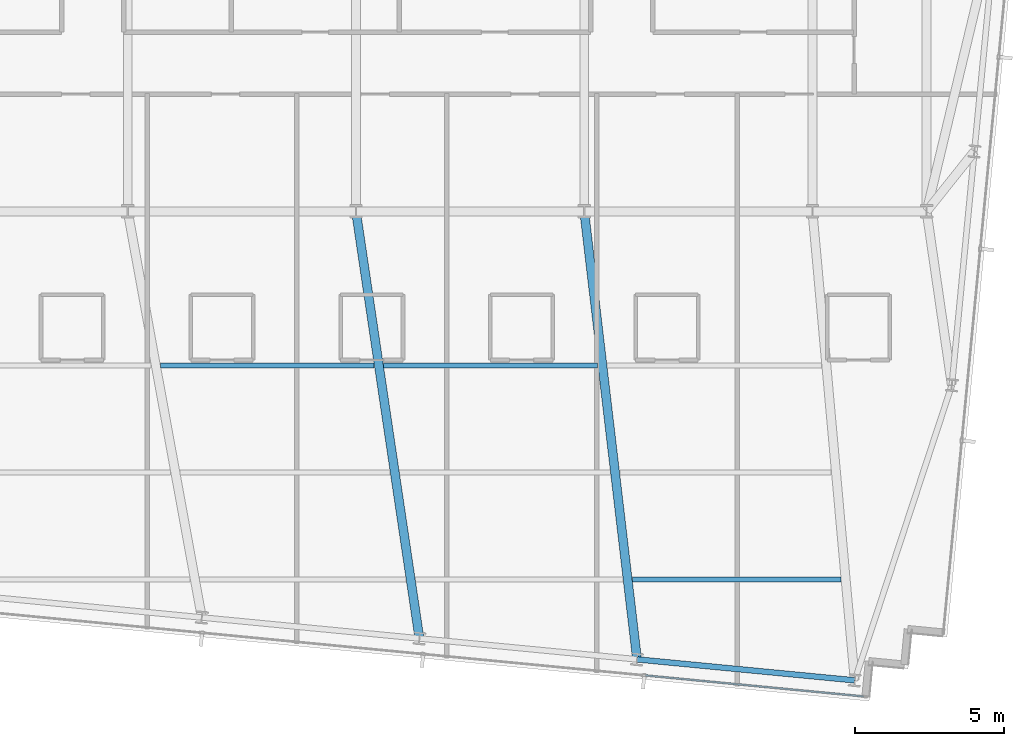
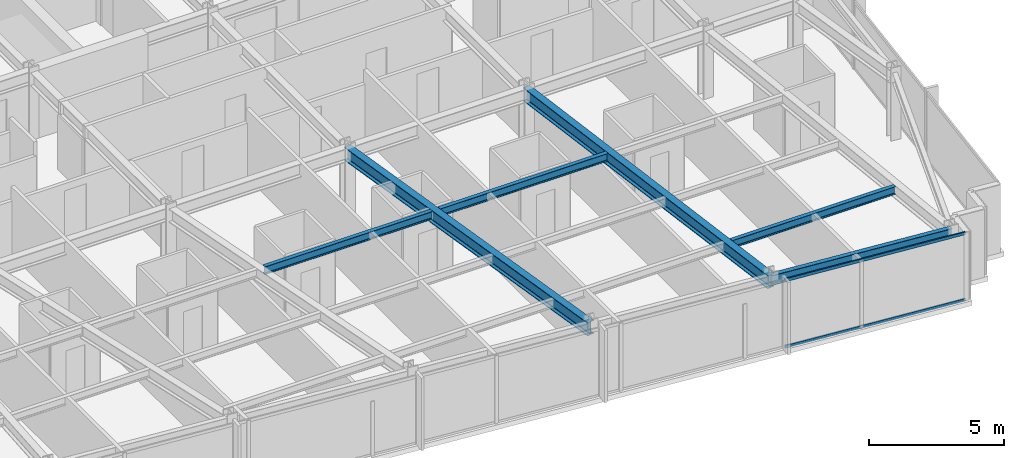
# One storey, part 13 of 38: 6 beams, 2 members, 1 element without a shape of its own.
"""IFC4 building model written with IfcOpenShell, lengths in metres."""

from ifc_helpers import new_model, si_unit, direction, frame, origin, origin_2d, place, context, subcontext, project, spatial, hollow_rectangle, i_section, extrude, material, material_profile, profile_set, type_object, element, aggregate, save


model = new_model("IFC4")

# Units and contexts
model_context = context("Model", 3, precision=1e-05, world=origin(), true_north=direction((0.0, 1.0)))
body_context = subcontext(model_context, "Body", "Model", "MODEL_VIEW")
ifc_project = project(units=[si_unit("LENGTHUNIT", "METRE"), si_unit("AREAUNIT", "SQUARE_METRE"), si_unit("VOLUMEUNIT", "CUBIC_METRE"), si_unit("PLANEANGLEUNIT", "RADIAN"), si_unit("MASSUNIT", "GRAM", prefix="KILO")], contexts=[model_context])

# Site, building, storey
site_placement = place(None, origin())
site = spatial("IfcSite", under=ifc_project, at=site_placement, CompositionType="ELEMENT")
building_placement = place(site_placement, origin())
building = spatial("IfcBuilding", under=site, at=building_placement, Name="Yelkora Congress Tower", CompositionType="ELEMENT")
storey_placement = place(building_placement, frame((0.0, 0.0, 178.699951171875)))
storey = spatial("IfcBuildingStorey", under=building, at=storey_placement, Name="L49", CompositionType="ELEMENT", Elevation=178.699951171875)

# Beams
ifc_material_1 = material(Name="Steel S355J2", Category="steel")
ifc_material_profile_1 = material_profile(ifc_material_1, i_section(OverallWidth=0.300048828125, OverallDepth=0.60009765625, WebThickness=0.015380859375, FlangeThickness=0.030029296875, FilletRadius=0.027099609375, at=origin_2d()), Name="HEB 600")
ifc_profile_set_1 = profile_set([ifc_material_profile_1], Name="Steel S355J2")
beam_type_1 = type_object("IfcBeamType", Name="BM-GIRD-HEB600", PredefinedType="BEAM", material=ifc_profile_set_1)
beam_1_placement = place(storey_placement, frame((40.53564453125, 10.83154296875, 2.780029296875), z_axis=(-0.147026183693, 0.989132600468, 0.0), x_axis=(-0.989132600468, -0.147026183693, 0.0)))
element("IfcBeam", 1, at=beam_1_placement, inside=storey, type_object=beam_type_1, Name="L49 Primary Frame Girder S06", PredefinedType="BEAM", context=body_context, shape_type="SweptSolid", body=[
    extrude(i_section(OverallWidth=0.300048828125, OverallDepth=0.60009765625, WebThickness=0.015380859375, FlangeThickness=0.030029296875, FilletRadius=0.027099609375, at=origin_2d()), origin(), (0.0, 0.0, 1.0), 14.5263671875),
])
beam_2_placement = place(storey_placement, frame((47.85888671875, 10.12646484375, 2.780029296875), z_axis=(-0.117195880411, 0.993108818617, 0.0), x_axis=(-0.993108818617, -0.117195880411, 0.0)))
element("IfcBeam", 2, at=beam_2_placement, inside=storey, type_object=beam_type_1, Name="L49 Primary Frame Girder S07", PredefinedType="BEAM", context=body_context, shape_type="SweptSolid", body=[
    extrude(i_section(OverallWidth=0.300048828125, OverallDepth=0.60009765625, WebThickness=0.015380859375, FlangeThickness=0.030029296875, FilletRadius=0.027099609375, at=origin_2d()), origin(), (0.0, 0.0, 1.0), 15.177978515625),
])
ifc_material_profile_2 = material_profile(ifc_material_1, i_section(OverallWidth=0.169921875, OverallDepth=0.360107421875, WebThickness=0.008056640625, FlangeThickness=0.0126953125, FilletRadius=0.01806640625, at=origin_2d()), Name="IPE 360")
ifc_profile_set_2 = profile_set([ifc_material_profile_2], Name="Steel S355J2")
beam_type_2 = type_object("IfcBeamType", Name="BM-JOIST-IPE360", PredefinedType="JOIST", material=ifc_profile_set_2)
beam_3_placement = place(storey_placement, frame((47.700927734375, 12.8212890625, 2.900146484375), z_axis=(1.0, 0.0, 0.0), x_axis=(0.0, 1.0, 0.0)))
element("IfcBeam", 3, at=beam_3_placement, inside=storey, type_object=beam_type_2, Name="L49 Composite Floor Joist 4", PredefinedType="JOIST", context=body_context, shape_type="SweptSolid", body=[
    extrude(i_section(OverallWidth=0.169921875, OverallDepth=0.360107421875, WebThickness=0.008056640625, FlangeThickness=0.0126953125, FilletRadius=0.01806640625, at=origin_2d()), origin(), (0.0, 0.0, 1.0), 7.014892578125),
])
beam_4_placement = place(storey_placement, frame((31.82470703125, 20.021240234375, 2.900146484375), z_axis=(1.0, 0.0, 0.0), x_axis=(0.0, 1.0, 0.0)))
element("IfcBeam", 4, at=beam_4_placement, inside=storey, type_object=beam_type_2, Name="L49 Composite Floor Joist 16", PredefinedType="JOIST", context=body_context, shape_type="SweptSolid", body=[
    extrude(i_section(OverallWidth=0.169921875, OverallDepth=0.360107421875, WebThickness=0.008056640625, FlangeThickness=0.0126953125, FilletRadius=0.01806640625, at=origin_2d()), origin(), (0.0, 0.0, 1.0), 7.18505859375),
])
beam_5_placement = place(storey_placement, frame((39.32958984375, 20.021240234375, 2.900146484375), z_axis=(1.0, 0.0, 0.0), x_axis=(0.0, 1.0, 0.0)))
element("IfcBeam", 5, at=beam_5_placement, inside=storey, type_object=beam_type_2, Name="L49 Composite Floor Joist 17", PredefinedType="JOIST", context=body_context, shape_type="SweptSolid", body=[
    extrude(i_section(OverallWidth=0.169921875, OverallDepth=0.360107421875, WebThickness=0.008056640625, FlangeThickness=0.0126953125, FilletRadius=0.01806640625, at=origin_2d()), origin(), (0.0, 0.0, 1.0), 7.20166015625),
])
ifc_material_profile_3 = material_profile(ifc_material_1, i_section(OverallWidth=0.18994140625, OverallDepth=0.449951171875, WebThickness=0.009521484375, FlangeThickness=0.0146484375, FilletRadius=0.02099609375, at=origin_2d()), Name="IPE 450")
ifc_profile_set_3 = profile_set([ifc_material_profile_3], Name="Steel S355J2")
beam_type_3 = type_object("IfcBeamType", Name="BM-SPAN-IPE450", PredefinedType="SPANDREL", material=ifc_profile_set_3)
beam_6_placement = place(storey_placement, frame((47.85888671875, 10.12646484375, 2.85498046875), z_axis=(0.995393938538, -0.095869218844, 0.0), x_axis=(0.095869218844, 0.995393938538, 0.0)))
element("IfcBeam", 6, at=beam_6_placement, inside=storey, type_object=beam_type_3, Name="L49 Perimeter Beam 8", PredefinedType="SPANDREL", context=body_context, shape_type="SweptSolid", body=[
    extrude(i_section(OverallWidth=0.18994140625, OverallDepth=0.449951171875, WebThickness=0.009521484375, FlangeThickness=0.0146484375, FilletRadius=0.02099609375, at=origin_2d()), origin(), (0.0, 0.0, 1.0), 7.357177734375),
])

# Curtain wall, members
ifc_material_2 = material(Name="Anodised aluminium and insulated glass", Category="aluminium")
curtain_wall_type = type_object("IfcCurtainWallType", Name="CW-SYS-B3", PredefinedType="NOTDEFINED", material=ifc_material_2)
curtain_wall_placement = place(storey_placement, origin())
curtain_wall = element("IfcCurtainWall", 7, at=curtain_wall_placement, inside=storey, type_object=curtain_wall_type, Name="L49 Unitised Curtain Wall 20", PredefinedType="NOTDEFINED")
ifc_material_3 = material(Name="Anodised aluminium 6063-T6", Category="aluminium")
ifc_material_profile_4 = material_profile(ifc_material_3, hollow_rectangle(XDim=0.06005859375, YDim=0.1298828125, WallThickness=0.00390625, at=origin_2d()), Name="ALU 60x130x4")
ifc_profile_set_4 = profile_set([ifc_material_profile_4], Name="Anodised aluminium 6063-T6")
member_type = type_object("IfcMemberType", Name="MEM-TR-B3", PredefinedType="USERDEFINED", material=ifc_profile_set_4)
member_1_placement = place(storey_placement, frame((55.4716796875, 8.881103515625, 0.030029296875), z_axis=(-0.995396212442, 0.095845606344, 0.0), x_axis=(-0.095845606344, -0.995396212442, 0.0)))
member_1 = element("IfcMember", 8, at=member_1_placement, type_object=member_type, Name="CW-B3 transom 1.1", ObjectType="TRANSOM", PredefinedType="USERDEFINED", context=body_context, shape_type="SweptSolid", body=[
    extrude(hollow_rectangle(XDim=0.06005859375, YDim=0.1298828125, WallThickness=0.00390625, at=origin_2d()), origin(), (0.0, 0.0, 1.0), 7.369140625),
])
member_2_placement = place(storey_placement, frame((55.4716796875, 8.881103515625, 3.050048828125), z_axis=(-0.995396212442, 0.095845606344, 0.0), x_axis=(-0.095845606344, -0.995396212442, 0.0)))
member_2 = element("IfcMember", 9, at=member_2_placement, type_object=member_type, Name="CW-B3 transom 1.2", ObjectType="TRANSOM", PredefinedType="USERDEFINED", context=body_context, shape_type="SweptSolid", body=[
    extrude(hollow_rectangle(XDim=0.06005859375, YDim=0.1298828125, WallThickness=0.00390625, at=origin_2d()), origin(), (0.0, 0.0, 1.0), 7.369140625),
])
aggregate(curtain_wall, [member_1, member_2])

save(model, "model.ifc")
